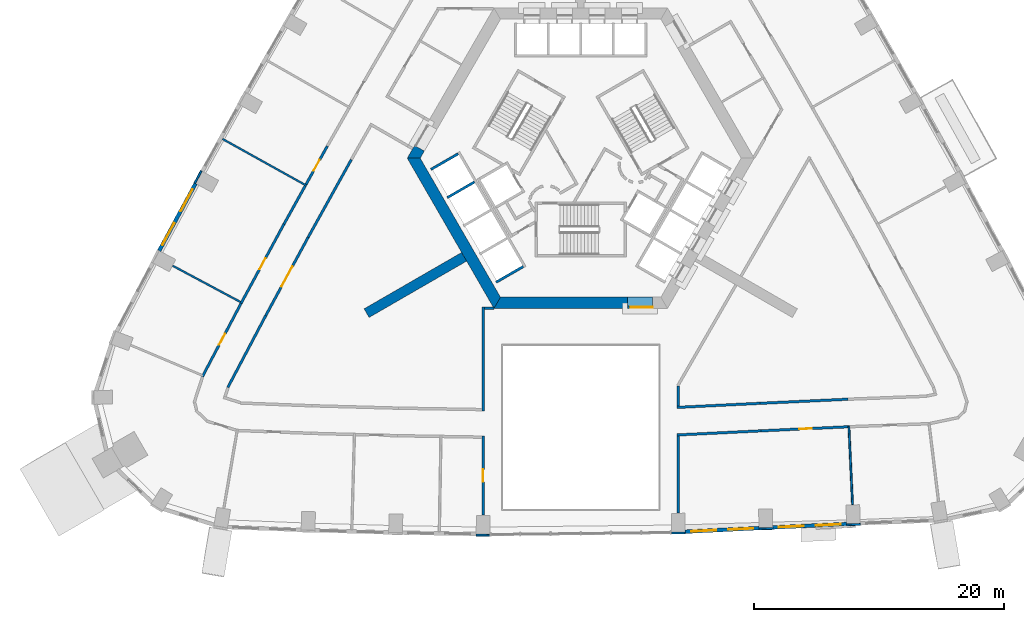
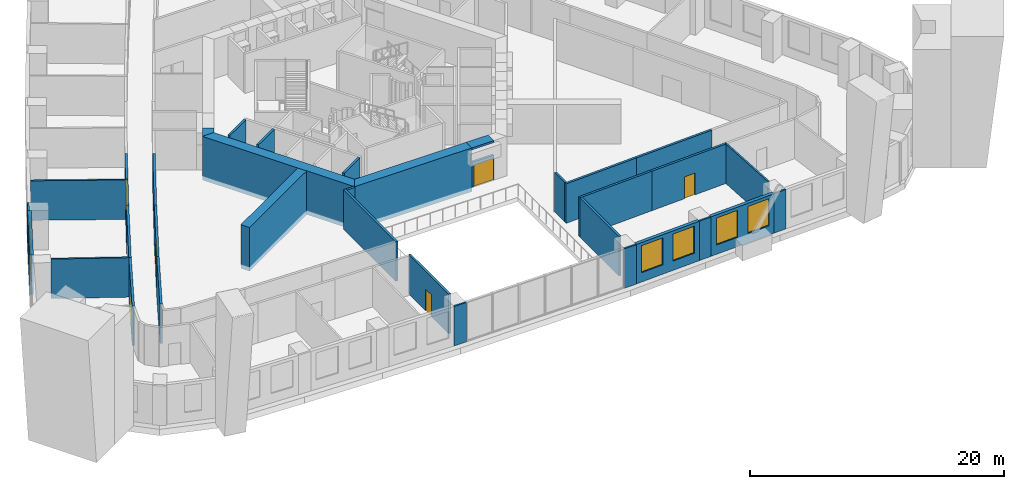
# One storey, part 5 of 15: 36 walls, 7 doors, 6 windows, 13 openings.
"""IFC4 building model written with IfcOpenShell, lengths in metres."""

from ifc_helpers import new_model, si_unit, direction, frame, frame_2d, origin, place, context, subcontext, project, spatial, polyline, rectangle, outline, extrude, material, layer, layer_set, type_object, element, fill, save


model = new_model("IFC4")

# Units and contexts
model_context = context("Model", 3, precision=1e-05, world=origin(), true_north=direction((0.0, 1.0)))
body_context = subcontext(model_context, "Body", "Model", "MODEL_VIEW")
ifc_project = project(units=[si_unit("LENGTHUNIT", "METRE"), si_unit("AREAUNIT", "SQUARE_METRE"), si_unit("VOLUMEUNIT", "CUBIC_METRE"), si_unit("PLANEANGLEUNIT", "RADIAN"), si_unit("MASSUNIT", "GRAM", prefix="KILO")], contexts=[model_context])

# Site, building, storey
site_placement = place(None, origin())
site = spatial("IfcSite", under=ifc_project, at=site_placement, CompositionType="ELEMENT")
building_placement = place(site_placement, origin())
building = spatial("IfcBuilding", under=site, at=building_placement, Name="Entoto Arch Interchange Tower", CompositionType="ELEMENT")
storey_placement = place(building_placement, frame((0.0, 0.0, 111.800048828125)))
storey = spatial("IfcBuildingStorey", under=building, at=storey_placement, Name="L24", CompositionType="ELEMENT", Elevation=111.800048828125)

# Wall
ifc_material_1 = material(Name="Concrete C60/75", Category="concrete")
ifc_layer_1 = layer(ifc_material_1, 0.800048828125)
ifc_layer_set_1 = layer_set([ifc_layer_1], Name="Concrete C60/75")
wall_type_1 = type_object("IfcWallType", Name="Buttress wall 800 C60/75", PredefinedType="SHEAR", material=ifc_layer_set_1)
wall_1_placement = place(storey_placement, frame((-9.31005859375, -5.375, -0.400146484375), z_axis=(0.0, 0.0, 1.0), x_axis=(-0.866017533419, -0.500013631625, 0.0)))
element("IfcWall", 1, at=wall_1_placement, inside=storey, type_object=wall_type_1, Name="Buttress wall SW L24", PredefinedType="SHEAR", context=body_context, shape_type="SweptSolid", body=[
    extrude(rectangle(XDim=8.999755859375, YDim=0.800048828125, at=frame_2d((4.5, 0.0))), origin(), (0.0, 0.0, 1.0), 4.2001953125),
])

# Wall, opening, door
ifc_material_2 = material(Name="Reinforced concrete C40/50", Category="concrete")
ifc_layer_2 = layer(ifc_material_2, 0.199951171875)
ifc_layer_set_2 = layer_set([ifc_layer_2], Name="Reinforced concrete C40/50")
wall_type_2 = type_object("IfcWallType", Name="CORE GAP INFILL WALL", PredefinedType="PARTITIONING", material=ifc_layer_set_2)
wall_2_placement = place(storey_placement, frame((3.75, -9.39990234375, 0.0), z_axis=(0.0, 0.0, 1.0), x_axis=(1.0, 0.0, 0.0)))
wall_2 = element("IfcWall", 2, at=wall_2_placement, inside=storey, type_object=wall_type_2, Name="wall:L24:gap1", PredefinedType="PARTITIONING", context=body_context, shape_type="SweptSolid", body=[
    extrude(rectangle(XDim=2.0, YDim=0.199951171875, at=frame_2d((1.0, 0.0))), origin(), (0.0, 0.0, 1.0), 2.39990234375),
])
opening_1_placement = place(wall_2_placement, frame((0.18994140625, 0.0, 0.0)))
opening_1 = element("IfcOpeningElement", 3, at=opening_1_placement, cuts=wall_2, Name="Opening L24-D91", PredefinedType="OPENING", context=body_context, shape_type="SweptSolid", body=[
    extrude(rectangle(XDim=1.800048828125, YDim=2.10009765625, at=frame_2d((0.89990234375, 1.050048828125))), frame((0.0, 0.10986328125, 0.0), z_axis=(0.0, -1.0, 0.0), x_axis=(1.0, 0.0, 0.0)), (0.0, 0.0, 1.0), 0.219970703125),
])
ifc_material_3 = material(Name="Fire-rated Steel S235 door and frame", Category="steel")
door_type_1 = type_object("IfcDoorType", Name="DOOR FD-18 1800x2100", OperationType="DOUBLE_DOOR_SINGLE_SWING", PredefinedType="DOOR", material=ifc_material_3)
door_1_placement = place(opening_1_placement, origin())
door_1 = element("IfcDoor", 4, at=door_1_placement, inside=storey, type_object=door_type_1, Name="door:L24:gap1", OperationType="DOUBLE_DOOR_SINGLE_SWING", OverallHeight=2.10009765625, OverallWidth=1.800048828125, PredefinedType="DOOR", context=body_context, shape_type="SweptSolid", body=[
    extrude(rectangle(XDim=1.800048828125, YDim=2.10009765625, at=frame_2d((0.89990234375, 1.050048828125))), frame((0.0, 0.02490234375, 0.0), z_axis=(0.0, -1.0, 0.0), x_axis=(1.0, 0.0, 0.0)), (0.0, 0.0, 1.0), 0.050048828125),
])
fill(opening_1, door_1)

# Walls
ifc_layer_3 = layer(ifc_material_1, 0.89990234375)
ifc_layer_set_3 = layer_set([ifc_layer_3], Name="Concrete C60/75")
wall_type_3 = type_object("IfcWallType", Name="Core wall 900 C60/75", PredefinedType="SHEAR", material=ifc_layer_set_3)
wall_3_placement = place(storey_placement, frame((0.0, 0.0, -0.400146484375)))
element("IfcWall", 5, at=wall_3_placement, inside=storey, type_object=wall_type_3, Name="Core wall NW L24", PredefinedType="SHEAR", context=body_context, shape_type="SweptSolid", body=[
    extrude(outline(polyline([(-12.488037109375, 3.070068359375), (-13.26708984375, 3.52001953125), (-13.85595703125, 2.5), (-12.81689453125, 2.5), (-12.488037109375, 3.070068359375)])), origin(), (0.0, 0.0, 1.0), 4.2001953125),
])
wall_4_placement = place(storey_placement, frame((0.0, 0.0, -0.400146484375)))
element("IfcWall", 6, at=wall_4_placement, inside=storey, type_object=wall_type_3, Name="Core wall SW L24", PredefinedType="SHEAR", context=body_context, shape_type="SweptSolid", body=[
    extrude(outline(polyline([(-13.85595703125, 2.5), (-6.927978515625, -9.5), (-6.408935546875, -8.60009765625), (-12.81689453125, 2.5), (-13.85595703125, 2.5)])), origin(), (0.0, 0.0, 1.0), 4.2001953125),
])
wall_5_placement = place(storey_placement, frame((0.0, 0.0, -0.400146484375)))
element("IfcWall", 7, at=wall_5_placement, inside=storey, type_object=wall_type_3, Name="Core wall S L24", PredefinedType="SHEAR", context=body_context, shape_type="SweptSolid", body=[
    extrude(outline(polyline([(3.75, -9.5), (3.75, -8.60009765625), (-6.408935546875, -8.60009765625), (-6.927978515625, -9.5), (3.75, -9.5)])), origin(), (0.0, 0.0, 1.0), 4.2001953125),
])
wall_6_placement = place(storey_placement, frame((0.0, 0.0, 3.599853515625)))
element("IfcWall", 8, at=wall_6_placement, inside=storey, type_object=wall_type_3, Name="Core wall lintel S L24", PredefinedType="SHEAR", context=body_context, shape_type="SweptSolid", body=[
    extrude(outline(polyline([(5.75, -9.5), (5.75, -8.60009765625), (3.75, -8.60009765625), (3.75, -9.5), (5.75, -9.5)])), origin(), (0.0, 0.0, 1.0), 0.2001953125),
])
ifc_material_4 = material(Name="Concrete C40/50", Category="concrete")
ifc_layer_4 = layer(ifc_material_4, 0.199951171875)
ifc_layer_set_4 = layer_set([ifc_layer_4], Name="Concrete C40/50")
wall_type_4 = type_object("IfcWallType", Name="LIFT SHAFT WALL 200", PredefinedType="STANDARD", material=ifc_layer_set_4)
wall_7_placement = place(storey_placement, frame((-9.7880859375, 2.85302734375, 0.0), z_axis=(0.0, 0.0, 1.0), x_axis=(-0.865998541277, -0.500046524342, 0.0)))
element("IfcWall", 9, at=wall_7_placement, inside=storey, type_object=wall_type_4, Name="Shaft wall SW3 cross 1", PredefinedType="STANDARD", context=body_context, shape_type="SweptSolid", body=[
    extrude(rectangle(XDim=2.499755859375, YDim=0.199951171875, at=frame_2d((1.25, 0.0))), origin(), (0.0, 0.0, 1.0), 3.800048828125),
])
for number, where, z_axis, x_axis, name in (
    (10, (-8.488037109375, 0.60205078125, 0.0), (0.0, 0.0, 1.0), (-0.866022959057, -0.500004234368, 0.0), "Shaft wall SW3 cross 2"),
    (11, (-4.587890625, -6.153076171875, 0.0), (0.0, 0.0, 1.0), (-0.866022959057, -0.500004234368, 0.0), "Shaft wall SW3 cross 5"),
):
    element("IfcWall", number, at=place(storey_placement, frame(where, z_axis=z_axis, x_axis=x_axis)), inside=storey, type_object=wall_type_4, Name=name, PredefinedType="STANDARD", context=body_context, shape_type="SweptSolid", body=[
        extrude(rectangle(XDim=2.5, YDim=0.199951171875, at=frame_2d((1.25, 0.0))), origin(), (0.0, 0.0, 1.0), 3.800048828125),
    ])
ifc_material_5 = material(Name="Gypsum board partition on steel studs", Category="steel")
ifc_layer_5 = layer(ifc_material_5, 0.14990234375)
ifc_layer_set_5 = layer_set([ifc_layer_5], Name="Gypsum board partition on steel studs")
wall_type_5 = type_object("IfcWallType", Name="PARTITION 150", PredefinedType="PARTITIONING", material=ifc_layer_set_5)
wall_8_placement = place(storey_placement, frame((21.4208984375, -18.949951171875, 0.0), z_axis=(0.0, 0.0, 1.0), x_axis=(0.046555976109, -0.998915682672, 0.0)))
element("IfcWall", 12, at=wall_8_placement, inside=storey, type_object=wall_type_5, Name="wall:L24:p119", PredefinedType="PARTITIONING", context=body_context, shape_type="SweptSolid", body=[
    extrude(rectangle(XDim=6.22998046875, YDim=0.14990234375, at=frame_2d((3.114990234375, 0.0))), origin(), (0.0, 0.0, 1.0), 3.800048828125),
])
wall_9_placement = place(storey_placement, frame((-21.885009765625, 0.300048828125, 0.0), z_axis=(0.0, 0.0, 1.0), x_axis=(-0.874095944746, 0.485753311237, 0.0)))
element("IfcWall", 13, at=wall_9_placement, inside=storey, type_object=wall_type_5, Name="wall:L24:p131", PredefinedType="PARTITIONING", context=body_context, shape_type="SweptSolid", body=[
    extrude(rectangle(XDim=7.699462890625, YDim=0.14990234375, at=frame_2d((3.849609375, 0.0))), origin(), (0.0, 0.0, 1.0), 3.800048828125),
])
wall_10_placement = place(storey_placement, frame((-27.181884765625, -8.98095703125, 0.0), z_axis=(0.0, 0.0, 1.0), x_axis=(-0.881899408669, 0.471437623647, 0.0)))
element("IfcWall", 14, at=wall_10_placement, inside=storey, type_object=wall_type_5, Name="wall:L24:p132", PredefinedType="PARTITIONING", context=body_context, shape_type="SweptSolid", body=[
    extrude(rectangle(XDim=6.1298828125, YDim=0.14990234375, at=frame_2d((3.06494140625, 0.0))), origin(), (0.0, 0.0, 1.0), 3.800048828125),
])
ifc_layer_6 = layer(ifc_material_5, 0.199951171875)
ifc_layer_set_6 = layer_set([ifc_layer_6], Name="Gypsum board partition on steel studs")
wall_type_6 = type_object("IfcWallType", Name="PARTITION 200", PredefinedType="PARTITIONING", material=ifc_layer_set_6)
wall_11_placement = place(storey_placement, frame((7.699951171875, -17.403076171875, 0.0), z_axis=(0.0, 0.0, 1.0), x_axis=(0.998792748077, 0.049122768543, 0.0)))
element("IfcWall", 15, at=wall_11_placement, inside=storey, type_object=wall_type_6, Name="wall:L24:p018", PredefinedType="PARTITIONING", context=body_context, shape_type="SweptSolid", body=[
    extrude(rectangle(XDim=6.6201171875, YDim=0.199951171875, at=frame_2d((3.31005859375, 0.0))), origin(), (0.0, 0.0, 1.0), 3.800048828125),
])
wall_12_placement = place(storey_placement, frame((14.31201171875, -17.077880859375, 0.0), z_axis=(0.0, 0.0, 1.0), x_axis=(0.998919675224, 0.046470231869, 0.0)))
element("IfcWall", 16, at=wall_12_placement, inside=storey, type_object=wall_type_6, Name="wall:L24:p019", PredefinedType="PARTITIONING", context=body_context, shape_type="SweptSolid", body=[
    extrude(rectangle(XDim=7.0556640625, YDim=0.199951171875, at=frame_2d((3.52783203125, 0.0))), origin(), (0.0, 0.0, 1.0), 3.800048828125),
])
wall_13_placement = place(storey_placement, frame((-18.323974609375, 2.383056640625, 0.0), z_axis=(0.0, 0.0, 1.0), x_axis=(-0.485826874234, -0.874055060206, 0.0)))
element("IfcWall", 17, at=wall_13_placement, inside=storey, type_object=wall_type_6, Name="wall:L24:p028", PredefinedType="PARTITIONING", context=body_context, shape_type="SweptSolid", body=[
    extrude(rectangle(XDim=7.09912109375, YDim=0.199951171875, at=frame_2d((3.549560546875, 0.0))), origin(), (0.0, 0.0, 1.0), 3.800048828125),
])

# Wall, opening, door
wall_14_placement = place(storey_placement, frame((-21.77294921875, -3.822021484375, 0.0), z_axis=(0.0, 0.0, 1.0), x_axis=(-0.476124717613, -0.87937776483, 0.0)))
wall_14 = element("IfcWall", 18, at=wall_14_placement, inside=storey, type_object=wall_type_6, Name="wall:L24:p029", PredefinedType="PARTITIONING", context=body_context, shape_type="SweptSolid", body=[
    extrude(rectangle(XDim=7.099365234375, YDim=0.199951171875, at=frame_2d((3.5498046875, 0.0))), origin(), (0.0, 0.0, 1.0), 3.800048828125),
])
opening_2_placement = place(wall_14_placement, frame((2.64990234375, 0.0, 0.0)))
opening_2 = element("IfcOpeningElement", 19, at=opening_2_placement, cuts=wall_14, Name="Opening L24-D23", PredefinedType="OPENING", context=body_context, shape_type="SweptSolid", body=[
    extrude(rectangle(XDim=1.800048828125, YDim=2.10009765625, at=frame_2d((0.89990234375, 1.050048828125))), frame((0.0, 0.10986328125, 0.0), z_axis=(0.0, -1.0, 0.0), x_axis=(1.0, 0.0, 0.0)), (0.0, 0.0, 1.0), 0.219970703125),
])
ifc_material_6 = material(Name="Timber door leaf in Steel S235 frame", Category="steel")
door_type_2 = type_object("IfcDoorType", Name="DOOR DD-18 1800x2100", OperationType="DOUBLE_DOOR_SINGLE_SWING", PredefinedType="DOOR", material=ifc_material_6)
door_2_placement = place(opening_2_placement, origin())
door_2 = element("IfcDoor", 20, at=door_2_placement, inside=storey, type_object=door_type_2, Name="door:L24:23", OperationType="DOUBLE_DOOR_SINGLE_SWING", OverallHeight=2.10009765625, OverallWidth=1.800048828125, PredefinedType="DOOR", context=body_context, shape_type="SweptSolid", body=[
    extrude(rectangle(XDim=1.800048828125, YDim=2.10009765625, at=frame_2d((0.89990234375, 1.050048828125))), frame((0.0, 0.02490234375, 0.0), z_axis=(0.0, -1.0, 0.0), x_axis=(1.0, 0.0, 0.0)), (0.0, 0.0, 1.0), 0.050048828125),
])
fill(opening_2, door_2)

# Wall
wall_15_placement = place(storey_placement, frame((-25.153076171875, -10.06494140625, 0.0), z_axis=(0.0, 0.0, 1.0), x_axis=(-0.466663976618, -0.884434696813, 0.0)))
element("IfcWall", 21, at=wall_15_placement, inside=storey, type_object=wall_type_6, Name="wall:L24:p030", PredefinedType="PARTITIONING", context=body_context, shape_type="SweptSolid", body=[
    extrude(rectangle(XDim=6.501220703125, YDim=0.199951171875, at=frame_2d((3.25048828125, 0.0))), origin(), (0.0, 0.0, 1.0), 3.800048828125),
])

# Wall, opening, door
wall_16_placement = place(storey_placement, frame((21.49609375, -18.946044921875, 0.0), z_axis=(0.0, 0.0, 1.0), x_axis=(-0.99891602876, -0.046548549767, 0.0)))
wall_16 = element("IfcWall", 22, at=wall_16_placement, inside=storey, type_object=wall_type_6, Name="wall:L24:p036", PredefinedType="PARTITIONING", context=body_context, shape_type="SweptSolid", body=[
    extrude(rectangle(XDim=7.085693359375, YDim=0.199951171875, at=frame_2d((3.54296875, 0.0))), origin(), (0.0, 0.0, 1.0), 3.800048828125),
])
opening_3_placement = place(wall_16_placement, frame((3.04296875, 0.0, 0.0)))
opening_3 = element("IfcOpeningElement", 23, at=opening_3_placement, cuts=wall_16, Name="Opening L24-D01", PredefinedType="OPENING", context=body_context, shape_type="SweptSolid", body=[
    extrude(rectangle(XDim=1.0, YDim=2.10009765625, at=frame_2d((0.5, 1.050048828125))), frame((0.0, 0.10986328125, 0.0), z_axis=(0.0, -1.0, 0.0), x_axis=(1.0, 0.0, 0.0)), (0.0, 0.0, 1.0), 0.219970703125),
])
door_type_3 = type_object("IfcDoorType", Name="DOOR DS-10 1000x2100", OperationType="SINGLE_SWING_LEFT", PredefinedType="DOOR", material=ifc_material_6)
door_3_placement = place(opening_3_placement, origin())
door_3 = element("IfcDoor", 24, at=door_3_placement, inside=storey, type_object=door_type_3, Name="door:L24:01", OperationType="SINGLE_SWING_LEFT", OverallHeight=2.10009765625, OverallWidth=1.0, PredefinedType="DOOR", context=body_context, shape_type="SweptSolid", body=[
    extrude(rectangle(XDim=1.0, YDim=2.10009765625, at=frame_2d((0.5, 1.050048828125))), frame((0.0, 0.02490234375, 0.0), z_axis=(0.0, -1.0, 0.0), x_axis=(1.0, 0.0, 0.0)), (0.0, 0.0, 1.0), 0.050048828125),
])
fill(opening_3, door_3)

# Wall
wall_17_placement = place(storey_placement, frame((14.41796875, -19.27587890625, 0.0), z_axis=(0.0, 0.0, 1.0), x_axis=(-0.998802248261, -0.04892922305, 0.0)))
element("IfcWall", 25, at=wall_17_placement, inside=storey, type_object=wall_type_6, Name="wall:L24:p037", PredefinedType="PARTITIONING", context=body_context, shape_type="SweptSolid", body=[
    extrude(rectangle(XDim=6.72607421875, YDim=0.199951171875, at=frame_2d((3.363037109375, 0.0))), origin(), (0.0, 0.0, 1.0), 3.800048828125),
])

# Wall, opening, door
wall_18_placement = place(storey_placement, frame((-21.93603515625, 0.4140625, 0.0), z_axis=(0.0, 0.0, 1.0), x_axis=(0.485827202541, 0.874054877723, 0.0)))
wall_18 = element("IfcWall", 26, at=wall_18_placement, inside=storey, type_object=wall_type_6, Name="wall:L24:p064", PredefinedType="PARTITIONING", context=body_context, shape_type="SweptSolid", body=[
    extrude(rectangle(XDim=3.487060546875, YDim=0.199951171875, at=frame_2d((1.74365234375, 0.0))), origin(), (0.0, 0.0, 1.0), 3.800048828125),
])
opening_4_placement = place(wall_18_placement, frame((1.243896484375, 0.0, 0.0)))
opening_4 = element("IfcOpeningElement", 27, at=opening_4_placement, cuts=wall_18, Name="Opening L24-D13", PredefinedType="OPENING", context=body_context, shape_type="SweptSolid", body=[
    extrude(rectangle(XDim=1.0, YDim=2.10009765625, at=frame_2d((0.5, 1.050048828125))), frame((0.0, 0.10986328125, 0.0), z_axis=(0.0, -1.0, 0.0), x_axis=(1.0, 0.0, 0.0)), (0.0, 0.0, 1.0), 0.219970703125),
])
door_4_placement = place(opening_4_placement, origin())
door_4 = element("IfcDoor", 28, at=door_4_placement, inside=storey, type_object=door_type_3, Name="door:L24:13", OperationType="SINGLE_SWING_RIGHT", OverallHeight=2.10009765625, OverallWidth=1.0, PredefinedType="DOOR", context=body_context, shape_type="SweptSolid", body=[
    extrude(rectangle(XDim=1.0, YDim=2.10009765625, at=frame_2d((0.5, 1.050048828125))), frame((0.0, 0.02490234375, 0.0), z_axis=(0.0, -1.0, 0.0), x_axis=(1.0, 0.0, 0.0)), (0.0, 0.0, 1.0), 0.050048828125),
])
fill(opening_4, door_4)

wall_19_placement = place(storey_placement, frame((-27.12890625, -9.093994140625, 0.0), z_axis=(0.0, 0.0, 1.0), x_axis=(0.476090835435, 0.879396108938, 0.0)))
wall_19 = element("IfcWall", 29, at=wall_19_placement, inside=storey, type_object=wall_type_6, Name="wall:L24:p066", PredefinedType="PARTITIONING", context=body_context, shape_type="SweptSolid", body=[
    extrude(rectangle(XDim=7.1982421875, YDim=0.199951171875, at=frame_2d((3.59912109375, 0.0))), origin(), (0.0, 0.0, 1.0), 3.800048828125),
])
opening_5_placement = place(wall_19_placement, frame((3.09912109375, 0.0, 0.0)))
opening_5 = element("IfcOpeningElement", 30, at=opening_5_placement, cuts=wall_19, Name="Opening L24-D14", PredefinedType="OPENING", context=body_context, shape_type="SweptSolid", body=[
    extrude(rectangle(XDim=1.0, YDim=2.10009765625, at=frame_2d((0.5, 1.050048828125))), frame((0.0, 0.10986328125, 0.0), z_axis=(0.0, -1.0, 0.0), x_axis=(1.0, 0.0, 0.0)), (0.0, 0.0, 1.0), 0.219970703125),
])
door_5_placement = place(opening_5_placement, origin())
door_5 = element("IfcDoor", 31, at=door_5_placement, inside=storey, type_object=door_type_3, Name="door:L24:14", OperationType="SINGLE_SWING_RIGHT", OverallHeight=2.10009765625, OverallWidth=1.0, PredefinedType="DOOR", context=body_context, shape_type="SweptSolid", body=[
    extrude(rectangle(XDim=1.0, YDim=2.10009765625, at=frame_2d((0.5, 1.050048828125))), frame((0.0, 0.02490234375, 0.0), z_axis=(0.0, -1.0, 0.0), x_axis=(1.0, 0.0, 0.0)), (0.0, 0.0, 1.0), 0.050048828125),
])
fill(opening_5, door_5)

# Wall
wall_20_placement = place(storey_placement, frame((-23.701904296875, -2.763916015625, 0.0), z_axis=(0.0, 0.0, 1.0), x_axis=(0.485892653581, 0.874018494767, 0.0)))
element("IfcWall", 32, at=wall_20_placement, inside=storey, type_object=wall_type_6, Name="wall:L24:p067", PredefinedType="PARTITIONING", context=body_context, shape_type="SweptSolid", body=[
    extrude(rectangle(XDim=3.486083984375, YDim=0.199951171875, at=frame_2d((1.7431640625, 0.0))), origin(), (0.0, 0.0, 1.0), 3.800048828125),
])

# Wall, opening, door
wall_21_placement = place(storey_placement, frame((-30.220947265625, -14.9560546875, 0.0), z_axis=(0.0, 0.0, 1.0), x_axis=(0.466543318111, 0.884498350663, 0.0)))
wall_21 = element("IfcWall", 33, at=wall_21_placement, inside=storey, type_object=wall_type_6, Name="wall:L24:p068", PredefinedType="PARTITIONING", context=body_context, shape_type="SweptSolid", body=[
    extrude(rectangle(XDim=6.62744140625, YDim=0.199951171875, at=frame_2d((3.313720703125, 0.0))), origin(), (0.0, 0.0, 1.0), 3.800048828125),
])
opening_6_placement = place(wall_21_placement, frame((2.888916015625, 0.0, 0.0)))
opening_6 = element("IfcOpeningElement", 34, at=opening_6_placement, cuts=wall_21, Name="Opening L24-D15", PredefinedType="OPENING", context=body_context, shape_type="SweptSolid", body=[
    extrude(rectangle(XDim=1.0, YDim=2.10009765625, at=frame_2d((0.5, 1.050048828125))), frame((0.0, 0.10986328125, 0.0), z_axis=(0.0, -1.0, 0.0), x_axis=(1.0, 0.0, 0.0)), (0.0, 0.0, 1.0), 0.219970703125),
])
door_6_placement = place(opening_6_placement, origin())
door_6 = element("IfcDoor", 35, at=door_6_placement, inside=storey, type_object=door_type_3, Name="door:L24:15", OperationType="SINGLE_SWING_LEFT", OverallHeight=2.10009765625, OverallWidth=1.0, PredefinedType="DOOR", context=body_context, shape_type="SweptSolid", body=[
    extrude(rectangle(XDim=1.0, YDim=2.10009765625, at=frame_2d((0.5, 1.050048828125))), frame((0.0, 0.02490234375, 0.0), z_axis=(0.0, -1.0, 0.0), x_axis=(1.0, 0.0, 0.0)), (0.0, 0.0, 1.0), 0.050048828125),
])
fill(opening_6, door_6)

# Walls
wall_22_placement = place(storey_placement, frame((7.800048828125, -15.68994140625, 0.0), z_axis=(0.0, 0.0, 1.0), x_axis=(0.0, -1.0, 0.0)))
element("IfcWall", 36, at=wall_22_placement, inside=storey, type_object=wall_type_6, Name="wall:L24:p109", PredefinedType="PARTITIONING", context=body_context, shape_type="SweptSolid", body=[
    extrude(rectangle(XDim=1.608154296875, YDim=0.199951171875, at=frame_2d((0.80419921875, 0.0))), origin(), (0.0, 0.0, 1.0), 3.800048828125),
])
wall_23_placement = place(storey_placement, frame((-7.800048828125, -17.680908203125, 0.0), z_axis=(0.0, 0.0, 1.0), x_axis=(0.0, 1.0, 0.0)))
element("IfcWall", 37, at=wall_23_placement, inside=storey, type_object=wall_type_6, Name="wall:L24:p110", PredefinedType="PARTITIONING", context=body_context, shape_type="SweptSolid", body=[
    extrude(rectangle(XDim=8.281982421875, YDim=0.199951171875, at=frame_2d((4.14111328125, 0.0))), origin(), (0.0, 0.0, 1.0), 3.800048828125),
])
wall_24_placement = place(storey_placement, frame((-7.699951171875, -9.4990234375, 0.0), z_axis=(0.0, 0.0, 1.0), x_axis=(1.0, 0.0, 0.0)))
element("IfcWall", 38, at=wall_24_placement, inside=storey, type_object=wall_type_6, Name="wall:L24:p111", PredefinedType="PARTITIONING", context=body_context, shape_type="SweptSolid", body=[
    extrude(rectangle(XDim=0.77099609375, YDim=0.199951171875, at=frame_2d((0.385498046875, 0.0))), origin(), (0.0, 0.0, 1.0), 3.800048828125),
])
wall_25_placement = place(storey_placement, frame((7.800048828125, -19.700927734375, 0.0), z_axis=(0.0, 0.0, 1.0), x_axis=(0.0, -1.0, 0.0)))
element("IfcWall", 39, at=wall_25_placement, inside=storey, type_object=wall_type_6, Name="wall:L24:p112", PredefinedType="PARTITIONING", context=body_context, shape_type="SweptSolid", body=[
    extrude(rectangle(XDim=6.13916015625, YDim=0.199951171875, at=frame_2d((3.069580078125, 0.0))), origin(), (0.0, 0.0, 1.0), 3.800048828125),
])

# Wall, opening, door
wall_26_placement = place(storey_placement, frame((-7.800048828125, -26.011962890625, 0.0), z_axis=(0.0, 0.0, 1.0), x_axis=(0.0, 1.0, 0.0)))
wall_26 = element("IfcWall", 40, at=wall_26_placement, inside=storey, type_object=wall_type_6, Name="wall:L24:p113", PredefinedType="PARTITIONING", context=body_context, shape_type="SweptSolid", body=[
    extrude(rectangle(XDim=6.3310546875, YDim=0.199951171875, at=frame_2d((3.16552734375, 0.0))), origin(), (0.0, 0.0, 1.0), 3.800048828125),
])
opening_7_placement = place(wall_26_placement, frame((2.666015625, 0.0, 0.0)))
opening_7 = element("IfcOpeningElement", 41, at=opening_7_placement, cuts=wall_26, Name="Opening L24-D19", PredefinedType="OPENING", context=body_context, shape_type="SweptSolid", body=[
    extrude(rectangle(XDim=1.0, YDim=2.10009765625, at=frame_2d((0.5, 1.050048828125))), frame((0.0, 0.10986328125, 0.0), z_axis=(0.0, -1.0, 0.0), x_axis=(1.0, 0.0, 0.0)), (0.0, 0.0, 1.0), 0.219970703125),
])
door_7_placement = place(opening_7_placement, origin())
door_7 = element("IfcDoor", 42, at=door_7_placement, inside=storey, type_object=door_type_3, Name="door:L24:19", OperationType="SINGLE_SWING_LEFT", OverallHeight=2.10009765625, OverallWidth=1.0, PredefinedType="DOOR", context=body_context, shape_type="SweptSolid", body=[
    extrude(rectangle(XDim=1.0, YDim=2.10009765625, at=frame_2d((0.5, 1.050048828125))), frame((0.0, 0.02490234375, 0.0), z_axis=(0.0, -1.0, 0.0), x_axis=(1.0, 0.0, 0.0)), (0.0, 0.0, 1.0), 0.050048828125),
])
fill(opening_7, door_7)

# Wall, openings, windows
ifc_material_7 = material(Name="Welded tuff (ignimbrite) cladding, warm buff", Category="masonry")
ifc_layer_7 = layer(ifc_material_7, 0.300048828125)
ifc_layer_set_7 = layer_set([ifc_layer_7], Name="Welded tuff (ignimbrite) cladding, warm buff")
wall_type_7 = type_object("IfcWallType", Name="STONE INFILL WALL 300", PredefinedType="STANDARD", material=ifc_layer_set_7)
wall_27_placement = place(storey_placement, frame((8.346923828125, -27.3330078125, 0.0), z_axis=(0.0, 0.0, 1.0), x_axis=(0.998800343021, 0.048968099633, 0.0)))
wall_27 = element("IfcWall", 43, at=wall_27_placement, inside=storey, type_object=wall_type_7, Name="Facade wall S-05 L24", PredefinedType="STANDARD", context=body_context, shape_type="SweptSolid", body=[
    extrude(rectangle(XDim=5.903076171875, YDim=0.300048828125, at=frame_2d((2.95166015625, 0.0))), origin(), (0.0, 0.0, 1.0), 3.800048828125),
])
opening_8_placement = place(wall_27_placement, frame((0.47607421875, 0.0, 0.89990234375)))
opening_8 = element("IfcOpeningElement", 44, at=opening_8_placement, cuts=wall_27, Name="Opening WO-C", PredefinedType="OPENING", context=body_context, shape_type="SweptSolid", body=[
    extrude(rectangle(XDim=2.0, YDim=2.60009765625, at=frame_2d((1.0, 1.300048828125))), frame((0.0, 0.16015625, 0.0), z_axis=(0.0, -1.0, 0.0), x_axis=(1.0, 0.0, 0.0)), (0.0, 0.0, 1.0), 0.320068359375),
])
opening_9_placement = place(wall_27_placement, frame((3.427001953125, 0.0, 0.89990234375)))
opening_9 = element("IfcOpeningElement", 45, at=opening_9_placement, cuts=wall_27, Name="Opening WO-C", PredefinedType="OPENING", context=body_context, shape_type="SweptSolid", body=[
    extrude(rectangle(XDim=2.0, YDim=2.60009765625, at=frame_2d((1.0, 1.300048828125))), frame((0.0, 0.16015625, 0.0), z_axis=(0.0, -1.0, 0.0), x_axis=(1.0, 0.0, 0.0)), (0.0, 0.0, 1.0), 0.320068359375),
])
ifc_material_8 = material(Name="Clear glass, low-e double glazed", Category="glass")
window_type = type_object("IfcWindowType", Name="WINDOW WO-C 2000x2600", PartitioningType="DOUBLE_PANEL_VERTICAL", PredefinedType="WINDOW", material=ifc_material_8)
window_1_placement = place(opening_8_placement, origin())
window_1 = element("IfcWindow", 46, at=window_1_placement, inside=storey, type_object=window_type, Name="Window WO-C S-05 L24", OverallHeight=2.60009765625, OverallWidth=2.0, PartitioningType="SINGLE_PANEL", PredefinedType="WINDOW", context=body_context, shape_type="SweptSolid", body=[
    extrude(rectangle(XDim=2.0, YDim=2.60009765625, at=frame_2d((1.0, 1.300048828125))), frame((0.0, 0.030029296875, 0.0), z_axis=(0.0, -1.0, 0.0), x_axis=(1.0, 0.0, 0.0)), (0.0, 0.0, 1.0), 0.06005859375),
])
fill(opening_8, window_1)
window_2_placement = place(opening_9_placement, origin())
window_2 = element("IfcWindow", 47, at=window_2_placement, inside=storey, type_object=window_type, Name="Window WO-C S-05 L24", OverallHeight=2.60009765625, OverallWidth=2.0, PartitioningType="SINGLE_PANEL", PredefinedType="WINDOW", context=body_context, shape_type="SweptSolid", body=[
    extrude(rectangle(XDim=2.0, YDim=2.60009765625, at=frame_2d((1.0, 1.300048828125))), frame((0.0, 0.030029296875, 0.0), z_axis=(0.0, -1.0, 0.0), x_axis=(1.0, 0.0, 0.0)), (0.0, 0.0, 1.0), 0.06005859375),
])
fill(opening_9, window_2)

wall_28_placement = place(storey_placement, frame((15.340087890625, -26.990966796875, 0.0), z_axis=(0.0, 0.0, 1.0), x_axis=(0.998922139094, 0.046417238469, 0.0)))
wall_28 = element("IfcWall", 48, at=wall_28_placement, inside=storey, type_object=wall_type_7, Name="Facade wall S-06 L24", PredefinedType="STANDARD", context=body_context, shape_type="SweptSolid", body=[
    extrude(rectangle(XDim=5.9013671875, YDim=0.300048828125, at=frame_2d((2.95068359375, 0.0))), origin(), (0.0, 0.0, 1.0), 3.800048828125),
])
opening_10_placement = place(wall_28_placement, frame((0.47509765625, 0.0, 0.89990234375)))
opening_10 = element("IfcOpeningElement", 49, at=opening_10_placement, cuts=wall_28, Name="Opening WO-C", PredefinedType="OPENING", context=body_context, shape_type="SweptSolid", body=[
    extrude(rectangle(XDim=2.0, YDim=2.60009765625, at=frame_2d((1.0, 1.300048828125))), frame((0.0, 0.16015625, 0.0), z_axis=(0.0, -1.0, 0.0), x_axis=(1.0, 0.0, 0.0)), (0.0, 0.0, 1.0), 0.320068359375),
])
opening_11_placement = place(wall_28_placement, frame((3.426025390625, 0.0, 0.89990234375)))
opening_11 = element("IfcOpeningElement", 50, at=opening_11_placement, cuts=wall_28, Name="Opening WO-C", PredefinedType="OPENING", context=body_context, shape_type="SweptSolid", body=[
    extrude(rectangle(XDim=2.0, YDim=2.60009765625, at=frame_2d((1.0, 1.300048828125))), frame((0.0, 0.16015625, 0.0), z_axis=(0.0, -1.0, 0.0), x_axis=(1.0, 0.0, 0.0)), (0.0, 0.0, 1.0), 0.320068359375),
])
window_3_placement = place(opening_10_placement, origin())
window_3 = element("IfcWindow", 51, at=window_3_placement, inside=storey, type_object=window_type, Name="Window WO-C S-06 L24", OverallHeight=2.60009765625, OverallWidth=2.0, PartitioningType="SINGLE_PANEL", PredefinedType="WINDOW", context=body_context, shape_type="SweptSolid", body=[
    extrude(rectangle(XDim=2.0, YDim=2.60009765625, at=frame_2d((1.0, 1.300048828125))), frame((0.0, 0.030029296875, 0.0), z_axis=(0.0, -1.0, 0.0), x_axis=(1.0, 0.0, 0.0)), (0.0, 0.0, 1.0), 0.06005859375),
])
fill(opening_10, window_3)
window_4_placement = place(opening_11_placement, origin())
window_4 = element("IfcWindow", 52, at=window_4_placement, inside=storey, type_object=window_type, Name="Window WO-C S-06 L24", OverallHeight=2.60009765625, OverallWidth=2.0, PartitioningType="SINGLE_PANEL", PredefinedType="WINDOW", context=body_context, shape_type="SweptSolid", body=[
    extrude(rectangle(XDim=2.0, YDim=2.60009765625, at=frame_2d((1.0, 1.300048828125))), frame((0.0, 0.030029296875, 0.0), z_axis=(0.0, -1.0, 0.0), x_axis=(1.0, 0.0, 0.0)), (0.0, 0.0, 1.0), 0.06005859375),
])
fill(opening_11, window_4)

wall_29_placement = place(storey_placement, frame((-30.758056640625, 0.48095703125, 0.0), z_axis=(0.0, 0.0, 1.0), x_axis=(-0.476097776444, -0.879392351152, 0.0)))
wall_29 = element("IfcWall", 53, at=wall_29_placement, inside=storey, type_object=wall_type_7, Name="Facade wall NW-07 L24", PredefinedType="STANDARD", context=body_context, shape_type="SweptSolid", body=[
    extrude(rectangle(XDim=6.10986328125, YDim=0.300048828125, at=frame_2d((3.054931640625, 0.0))), origin(), (0.0, 0.0, 1.0), 3.800048828125),
])
opening_12_placement = place(wall_29_placement, frame((0.527099609375, 0.0, 0.89990234375)))
opening_12 = element("IfcOpeningElement", 54, at=opening_12_placement, cuts=wall_29, Name="Opening WO-C", PredefinedType="OPENING", context=body_context, shape_type="SweptSolid", body=[
    extrude(rectangle(XDim=2.0, YDim=2.60009765625, at=frame_2d((1.0, 1.300048828125))), frame((0.0, 0.16015625, 0.0), z_axis=(0.0, -1.0, 0.0), x_axis=(1.0, 0.0, 0.0)), (0.0, 0.0, 1.0), 0.320068359375),
])
opening_13_placement = place(wall_29_placement, frame((3.58203125, 0.0, 0.89990234375)))
opening_13 = element("IfcOpeningElement", 55, at=opening_13_placement, cuts=wall_29, Name="Opening WO-C", PredefinedType="OPENING", context=body_context, shape_type="SweptSolid", body=[
    extrude(rectangle(XDim=2.0, YDim=2.60009765625, at=frame_2d((1.0, 1.300048828125))), frame((0.0, 0.16015625, 0.0), z_axis=(0.0, -1.0, 0.0), x_axis=(1.0, 0.0, 0.0)), (0.0, 0.0, 1.0), 0.320068359375),
])
window_5_placement = place(opening_12_placement, origin())
window_5 = element("IfcWindow", 56, at=window_5_placement, inside=storey, type_object=window_type, Name="Window WO-C NW-07 L24", OverallHeight=2.60009765625, OverallWidth=2.0, PartitioningType="SINGLE_PANEL", PredefinedType="WINDOW", context=body_context, shape_type="SweptSolid", body=[
    extrude(rectangle(XDim=2.0, YDim=2.60009765625, at=frame_2d((1.0, 1.300048828125))), frame((0.0, 0.030029296875, 0.0), z_axis=(0.0, -1.0, 0.0), x_axis=(1.0, 0.0, 0.0)), (0.0, 0.0, 1.0), 0.06005859375),
])
fill(opening_12, window_5)
window_6_placement = place(opening_13_placement, origin())
window_6 = element("IfcWindow", 57, at=window_6_placement, inside=storey, type_object=window_type, Name="Window WO-C NW-07 L24", OverallHeight=2.60009765625, OverallWidth=2.0, PartitioningType="SINGLE_PANEL", PredefinedType="WINDOW", context=body_context, shape_type="SweptSolid", body=[
    extrude(rectangle(XDim=2.0, YDim=2.60009765625, at=frame_2d((1.0, 1.300048828125))), frame((0.0, 0.030029296875, 0.0), z_axis=(0.0, -1.0, 0.0), x_axis=(1.0, 0.0, 0.0)), (0.0, 0.0, 1.0), 0.06005859375),
])
fill(opening_13, window_6)

# Walls
ifc_layer_8 = layer(ifc_material_7, 0.14990234375)
ifc_layer_set_8 = layer_set([ifc_layer_8], Name="Welded tuff (ignimbrite) cladding, warm buff")
wall_type_8 = type_object("IfcWallType", Name="STONE PIER CLADDING 150", PredefinedType="STANDARD", material=ifc_layer_set_8)
wall_30_placement = place(storey_placement, frame((-30.298095703125, 1.48291015625, 0.0), z_axis=(0.0, 0.0, 1.0), x_axis=(-0.479566870346, -0.877505337229, 0.0)))
element("IfcWall", 58, at=wall_30_placement, inside=storey, type_object=wall_type_8, Name="Stone pier NW07 L24", PredefinedType="STANDARD", context=body_context, shape_type="SweptSolid", body=[
    extrude(rectangle(XDim=1.1005859375, YDim=0.14990234375, at=frame_2d((0.55029296875, 0.0))), origin(), (0.0, 0.0, 1.0), 3.800048828125),
])
for number, where, z_axis, x_axis, name in (
    (59, (-8.34912109375, -27.60205078125, 0.0), (0.0, 0.0, 1.0), (0.99995860686, -0.009098602504, 0.0), "Stone pier S04 L24"),
    (60, (7.2490234375, -27.43994140625, 0.0), (0.0, 0.0, 1.0), (0.99995860686, 0.009098602504, 0.0), "Stone pier S05 L24"),
):
    element("IfcWall", number, at=place(storey_placement, frame(where, z_axis=z_axis, x_axis=x_axis)), inside=storey, type_object=wall_type_8, Name=name, PredefinedType="STANDARD", context=body_context, shape_type="SweptSolid", body=[
        extrude(rectangle(XDim=1.10009765625, YDim=0.14990234375, at=frame_2d((0.550048828125, 0.0))), origin(), (0.0, 0.0, 1.0), 3.800048828125),
    ])
wall_31_placement = place(storey_placement, frame((14.242919921875, -27.10498046875, 0.0), z_axis=(0.0, 0.0, 1.0), x_axis=(0.999723421029, 0.023517683673, 0.0)))
element("IfcWall", 61, at=wall_31_placement, inside=storey, type_object=wall_type_8, Name="Stone pier S06 L24", PredefinedType="STANDARD", context=body_context, shape_type="SweptSolid", body=[
    extrude(rectangle(XDim=1.100341796875, YDim=0.14990234375, at=frame_2d((0.55029296875, 0.0))), origin(), (0.0, 0.0, 1.0), 3.800048828125),
])
wall_32_placement = place(storey_placement, frame((21.237060546875, -26.785888671875, 0.0), z_axis=(0.0, 0.0, 1.0), x_axis=(0.999376638472, 0.035303462679, 0.0)))
element("IfcWall", 62, at=wall_32_placement, inside=storey, type_object=wall_type_8, Name="Stone pier S07 L24", PredefinedType="STANDARD", context=body_context, shape_type="SweptSolid", body=[
    extrude(rectangle(XDim=1.099609375, YDim=0.14990234375, at=frame_2d((0.5498046875, 0.0))), origin(), (0.0, 0.0, 1.0), 3.800048828125),
])

save(model, "model.ifc")
